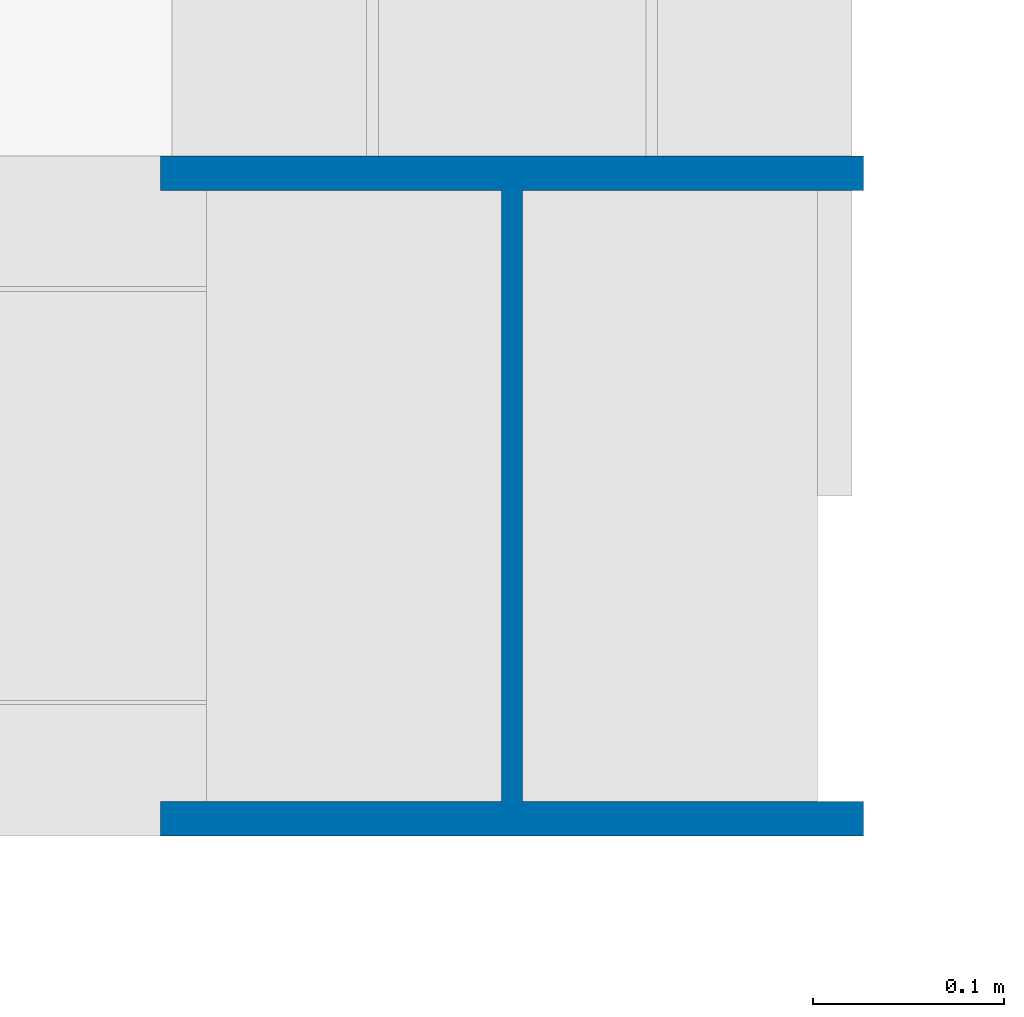
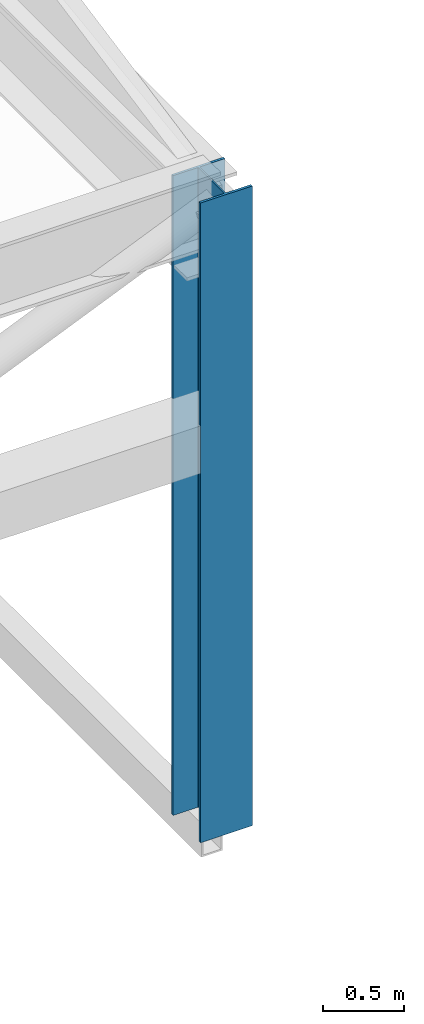
# One storey, part 20 of 159: 1 column.
"""IFC4 building model written with IfcOpenShell, lengths in metres."""

from ifc_helpers import new_model, si_unit, direction, frame, origin, origin_2d, place, context, subcontext, project, spatial, i_section, extrude, material, material_profile, profile_set, type_object, element, save


model = new_model("IFC4")

# Units and contexts
model_context = context("Model", 3, precision=1e-05, world=origin(), true_north=direction((0.0, 1.0)))
body_context = subcontext(model_context, "Body", "Model", "MODEL_VIEW")
ifc_project = project(units=[si_unit("LENGTHUNIT", "METRE"), si_unit("AREAUNIT", "SQUARE_METRE"), si_unit("VOLUMEUNIT", "CUBIC_METRE"), si_unit("PLANEANGLEUNIT", "RADIAN"), si_unit("MASSUNIT", "GRAM", prefix="KILO")], contexts=[model_context])

# Site, building, storey
site_placement = place(None, origin())
site = spatial("IfcSite", under=ifc_project, at=site_placement, CompositionType="ELEMENT")
building_placement = place(site_placement, origin())
building = spatial("IfcBuilding", under=site, at=building_placement, Name="Cazmaro Siding Exhibition Halls", CompositionType="ELEMENT")
storey_placement = place(building_placement, frame((0.0, 0.0, 6.0)))
storey = spatial("IfcBuildingStorey", under=building, at=storey_placement, Name="L01", CompositionType="ELEMENT", Elevation=6.0)

# Column
ifc_material = material(Name="Steel ASTM A992 Grade 50", Category="steel")
ifc_material_profile = material_profile(ifc_material, i_section(OverallWidth=0.367919921875, OverallDepth=0.35595703125, WebThickness=0.010986328125, FlangeThickness=0.01806640625, at=origin_2d()), Name="W14X90")
ifc_profile_set = profile_set([ifc_material_profile], Name="Steel ASTM A992 Grade 50")
column_type = type_object("IfcColumnType", Name="C-05", PredefinedType="COLUMN", material=ifc_profile_set)
column_placement = place(storey_placement, frame((216.0, 64.0, 0.0), z_axis=(0.0, 0.0, 1.0), x_axis=(1.0, 0.0, 0.0)))
element("IfcColumn", 1, at=column_placement, inside=storey, type_object=column_type, Name="Column C-05 COL-0692", PredefinedType="COLUMN", context=body_context, shape_type="SweptSolid", body=[
    extrude(i_section(OverallWidth=0.367919921875, OverallDepth=0.35595703125, WebThickness=0.010986328125, FlangeThickness=0.01806640625, at=origin_2d()), origin(), (0.0, 0.0, 1.0), 4.800048828125),
])

save(model, "model.ifc")
